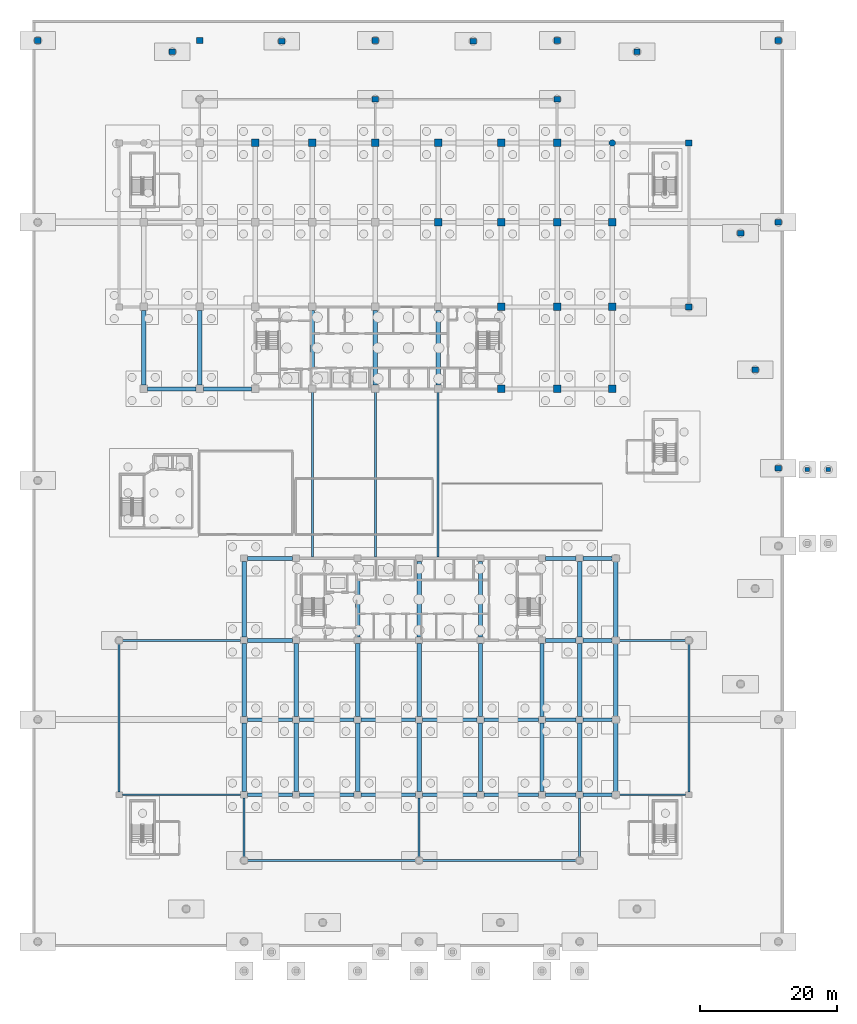
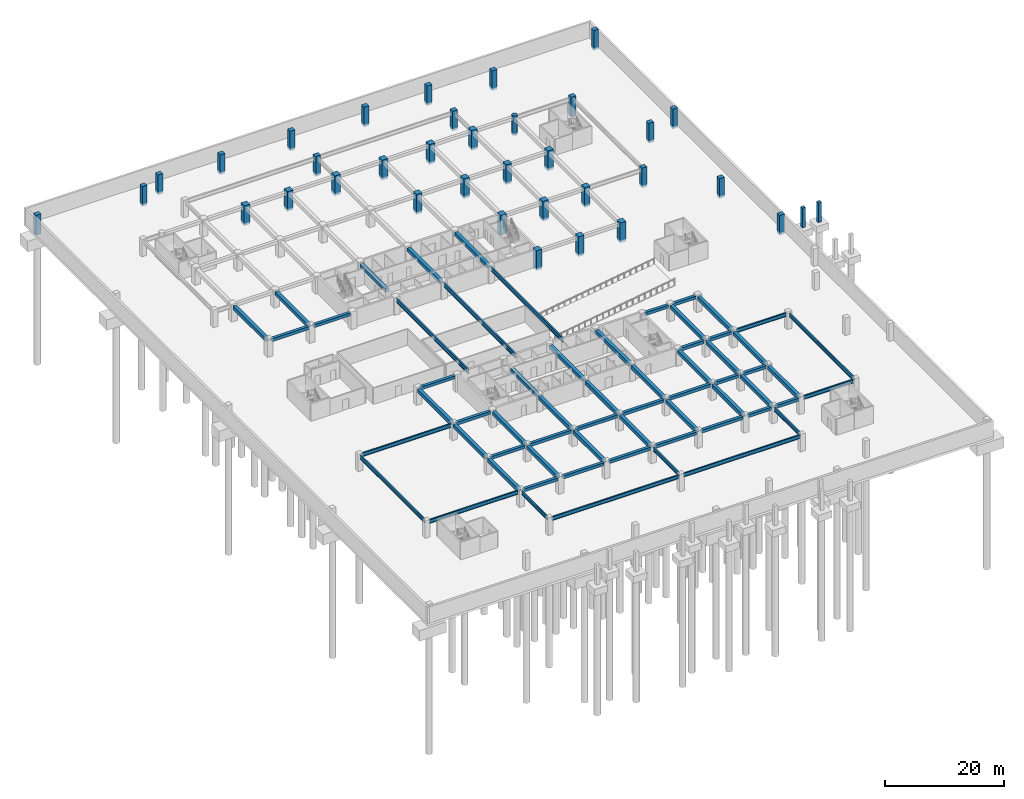
# One storey, part 5 of 26: 63 beams, 36 columns.
"""IFC4 building model written with IfcOpenShell, lengths in metres."""

from ifc_helpers import new_model, si_unit, direction, frame, origin, origin_2d, place, context, subcontext, project, spatial, rectangle, circle, i_section, extrude, material, material_profile, profile_set, type_object, element, save


model = new_model("IFC4")

# Units and contexts
model_context = context("Model", 3, precision=1e-05, world=origin(), true_north=direction((0.0, 1.0)))
body_context = subcontext(model_context, "Body", "Model", "MODEL_VIEW")
ifc_project = project(units=[si_unit("LENGTHUNIT", "METRE"), si_unit("AREAUNIT", "SQUARE_METRE"), si_unit("VOLUMEUNIT", "CUBIC_METRE"), si_unit("PLANEANGLEUNIT", "RADIAN"), si_unit("MASSUNIT", "GRAM", prefix="KILO")], contexts=[model_context])

# Site, building, storey
site_placement = place(None, origin())
site = spatial("IfcSite", under=ifc_project, at=site_placement, CompositionType="ELEMENT")
building_placement = place(site_placement, origin())
building = spatial("IfcBuilding", under=site, at=building_placement, Name="Korimba Cascade Residences", CompositionType="ELEMENT")
storey_placement = place(building_placement, frame((0.0, 0.0, -10.800048828125)))
storey = spatial("IfcBuildingStorey", under=building, at=storey_placement, Name="B03", CompositionType="ELEMENT", Elevation=-10.800048828125)

# Columns
ifc_material_1 = material(Name="Concrete C80/95", Category="concrete")
ifc_material_profile_1 = material_profile(ifc_material_1, rectangle(XDim=1.10009765625, YDim=1.10009765625, at=origin_2d()), Name="Concrete C80/95")
ifc_profile_set_1 = profile_set([ifc_material_profile_1], Name="Concrete C80/95")
column_type_1 = type_object("IfcColumnType", Name="COL-RC-1100", PredefinedType="COLUMN", material=ifc_profile_set_1)
for number, where, z_axis, x_axis, name in (
    (1, (76.10009765625, 91.199951171875, -0.449951171875), (0.0, 0.0, 1.0), (1.0, 0.0, 0.0), "B03 Tower 1 Column 3.4"),
    (2, (84.5, 91.199951171875, -0.449951171875), (0.0, 0.0, 1.0), (1.0, 0.0, 0.0), "B03 Tower 1 Column 4.4"),
    (3, (93.699951171875, 91.199951171875, -0.449951171875), (0.0, 0.0, 1.0), (1.0, 0.0, 0.0), "B03 Tower 1 Column 5.4"),
    (4, (102.89990234375, 79.60009765625, -0.449951171875), (0.0, 0.0, 1.0), (1.0, 0.0, 0.0), "B03 Tower 1 Column 6.3"),
    (5, (102.89990234375, 91.199951171875, -0.449951171875), (0.0, 0.0, 1.0), (1.0, 0.0, 0.0), "B03 Tower 1 Column 6.4"),
    (6, (112.10009765625, 55.199951171875, -0.449951171875), (0.0, 0.0, 1.0), (1.0, 0.0, 0.0), "B03 Tower 1 Column 7.1"),
    (7, (112.10009765625, 67.199951171875, -0.449951171875), (0.0, 0.0, 1.0), (1.0, 0.0, 0.0), "B03 Tower 1 Column 7.2"),
    (8, (112.10009765625, 79.60009765625, -0.449951171875), (0.0, 0.0, 1.0), (1.0, 0.0, 0.0), "B03 Tower 1 Column 7.3"),
    (9, (112.10009765625, 91.199951171875, -0.449951171875), (0.0, 0.0, 1.0), (1.0, 0.0, 0.0), "B03 Tower 1 Column 7.4"),
    (10, (120.300048828125, 55.199951171875, -0.449951171875), (0.0, 0.0, 1.0), (1.0, 0.0, 0.0), "B03 Tower 1 Column 8.1"),
    (11, (120.300048828125, 67.199951171875, -0.449951171875), (0.0, 0.0, 1.0), (1.0, 0.0, 0.0), "B03 Tower 1 Column 8.2"),
    (12, (120.300048828125, 79.60009765625, -0.449951171875), (0.0, 0.0, 1.0), (1.0, 0.0, 0.0), "B03 Tower 1 Column 8.3"),
    (13, (120.300048828125, 91.199951171875, -0.449951171875), (0.0, 0.0, 1.0), (1.0, 0.0, 0.0), "B03 Tower 1 Column 8.4"),
    (14, (128.39990234375, 55.199951171875, -0.449951171875), (0.0, 0.0, 1.0), (1.0, 0.0, 0.0), "B03 Tower 1 Column 9.1"),
    (15, (128.39990234375, 67.199951171875, -0.449951171875), (0.0, 0.0, 1.0), (1.0, 0.0, 0.0), "B03 Tower 1 Column 9.2"),
    (16, (128.39990234375, 79.60009765625, -0.449951171875), (0.0, 0.0, 1.0), (1.0, 0.0, 0.0), "B03 Tower 1 Column 9.3"),
):
    element("IfcColumn", number, at=place(storey_placement, frame(where, z_axis=z_axis, x_axis=x_axis)), inside=storey, type_object=column_type_1, Name=name, PredefinedType="COLUMN", context=body_context, shape_type="SweptSolid", body=[
        extrude(rectangle(XDim=1.10009765625, YDim=1.10009765625, at=origin_2d()), origin(), (0.0, 0.0, 1.0), 4.050048828125),
    ])
ifc_material_2 = material(Name="Concrete C50/60", Category="concrete")
ifc_material_profile_2 = material_profile(ifc_material_2, rectangle(XDim=0.64990234375, YDim=0.60009765625, at=origin_2d()), Name="Concrete C50/60")
ifc_profile_set_2 = profile_set([ifc_material_profile_2], Name="Concrete C50/60")
column_type_2 = type_object("IfcColumnType", Name="COL-RC-650", PredefinedType="COLUMN", material=ifc_profile_set_2)
for number, where, z_axis, x_axis, name in (
    (17, (156.89990234375, 43.39990234375, -0.449951171875), (0.0, 0.0, 1.0), (1.0, 0.0, 0.0), "B03 Plaza Sub-Pier APR2"),
    (18, (160.0, 43.39990234375, -0.449951171875), (0.0, 0.0, 1.0), (1.0, 0.0, 0.0), "B03 Plaza Sub-Pier APR4"),
):
    element("IfcColumn", number, at=place(storey_placement, frame(where, z_axis=z_axis, x_axis=x_axis)), inside=storey, type_object=column_type_2, Name=name, PredefinedType="COLUMN", context=body_context, shape_type="SweptSolid", body=[
        extrude(rectangle(XDim=0.64990234375, YDim=0.60009765625, at=origin_2d()), origin(), (0.0, 0.0, 1.0), 4.050048828125),
    ])
ifc_material_3 = material(Name="Concrete C65/80", Category="concrete")
ifc_material_profile_3 = material_profile(ifc_material_3, rectangle(XDim=0.949951171875, YDim=0.85009765625, at=origin_2d()), Name="Concrete C65/80")
ifc_profile_set_3 = profile_set([ifc_material_profile_3], Name="Concrete C65/80")
column_type_3 = type_object("IfcColumnType", Name="COL-RC-950", PredefinedType="COLUMN", material=ifc_profile_set_3)
for number, where, z_axis, x_axis, name in (
    (19, (139.60009765625, 67.199951171875, -0.449951171875), (0.0, 0.0, 1.0), (1.0, 0.0, 0.0), "B03 Podium Column PCE3"),
    (20, (139.60009765625, 91.199951171875, -0.449951171875), (0.0, 0.0, 1.0), (1.0, 0.0, 0.0), "B03 Podium Column PCE4"),
    (21, (93.699951171875, 97.60009765625, -0.449951171875), (0.0, 0.0, 1.0), (1.0, 0.0, 0.0), "B03 Podium Column PCN2"),
    (22, (120.300048828125, 97.60009765625, -0.449951171875), (0.0, 0.0, 1.0), (1.0, 0.0, 0.0), "B03 Podium Column PCN3"),
    (23, (80.0, 106.10009765625, -0.449951171875), (0.0, 0.0, 1.0), (1.0, 0.0, 0.0), "B03 Podium Column PTN1"),
    (24, (108.0, 106.10009765625, -0.449951171875), (0.0, 0.0, 1.0), (1.0, 0.0, 0.0), "B03 Podium Column PTN2"),
    (25, (64.0, 104.550048828125, -0.449951171875), (0.0, 0.0, 1.0), (1.0, 0.0, 0.0), "B03 Podium Column PTN3"),
    (26, (132.0, 104.550048828125, -0.449951171875), (0.0, 0.0, 1.0), (1.0, 0.0, 0.0), "B03 Podium Column PTN4"),
    (27, (149.300048828125, 58.0, -0.449951171875), (0.0, 0.0, 1.0), (1.0, 0.0, 0.0), "B03 Podium Column PTE2"),
    (28, (147.14990234375, 78.0, -0.449951171875), (0.0, 0.0, 1.0), (1.0, 0.0, 0.0), "B03 Podium Column PTE4"),
    (29, (44.300048828125, 106.199951171875, -0.449951171875), (0.0, 0.0, 1.0), (1.0, 0.0, 0.0), "B03 Podium Column PLW5"),
    (30, (152.699951171875, 43.60009765625, -0.449951171875), (0.0, 0.0, 1.0), (1.0, 0.0, 0.0), "B03 Podium Column PLE4"),
    (31, (152.699951171875, 79.60009765625, -0.449951171875), (0.0, 0.0, 1.0), (1.0, 0.0, 0.0), "B03 Podium Column PLE5"),
    (32, (152.699951171875, 106.199951171875, -0.449951171875), (0.0, 0.0, 1.0), (1.0, 0.0, 0.0), "B03 Podium Column PLE6"),
    (33, (68.0, 106.199951171875, -0.449951171875), (0.0, 0.0, 1.0), (1.0, 0.0, 0.0), "B03 Podium Column PLN1"),
    (34, (93.699951171875, 106.199951171875, -0.449951171875), (0.0, 0.0, 1.0), (1.0, 0.0, 0.0), "B03 Podium Column PLN2"),
    (35, (120.300048828125, 106.199951171875, -0.449951171875), (0.0, 0.0, 1.0), (1.0, 0.0, 0.0), "B03 Podium Column PLN3"),
):
    element("IfcColumn", number, at=place(storey_placement, frame(where, z_axis=z_axis, x_axis=x_axis)), inside=storey, type_object=column_type_3, Name=name, PredefinedType="COLUMN", context=body_context, shape_type="SweptSolid", body=[
        extrude(rectangle(XDim=0.949951171875, YDim=0.85009765625, at=origin_2d()), origin(), (0.0, 0.0, 1.0), 4.050048828125),
    ])
ifc_material_profile_4 = material_profile(ifc_material_1, circle(Radius=0.47509765625, at=origin_2d()), Name="Concrete C80/95")
ifc_profile_set_4 = profile_set([ifc_material_profile_4], Name="Concrete C80/95")
column_type_4 = type_object("IfcColumnType", Name="COL-RC-D950", PredefinedType="COLUMN", material=ifc_profile_set_4)
column_placement = place(storey_placement, frame((128.39990234375, 91.199951171875, -0.449951171875), z_axis=(0.0, 0.0, 1.0), x_axis=(1.0, 0.0, 0.0)))
element("IfcColumn", 36, at=column_placement, inside=storey, type_object=column_type_4, Name="B03 Tower 1 Column 9.4", PredefinedType="COLUMN", context=body_context, shape_type="SweptSolid", body=[
    extrude(circle(Radius=0.47509765625, at=origin_2d()), origin(), (0.0, 0.0, 1.0), 4.050048828125),
])

# Beams
ifc_material_profile_5 = material_profile(ifc_material_2, rectangle(XDim=0.550048828125, YDim=0.60009765625, at=origin_2d()), Name="Concrete C50/60")
ifc_profile_set_5 = profile_set([ifc_material_profile_5], Name="Concrete C50/60")
beam_type_1 = type_object("IfcBeamType", Name="BM-RC-B600", PredefinedType="BEAM", material=ifc_profile_set_5)
beam_1_placement = place(storey_placement, frame((60.35009765625, 55.199951171875, 3.0), z_axis=(1.0, 0.0, 0.0), x_axis=(0.0, 1.0, 0.0)))
element("IfcBeam", 37, at=beam_1_placement, inside=storey, type_object=beam_type_1, Name="B03 T1 E-W Girder Y1 Bay 1", PredefinedType="BEAM", context=body_context, shape_type="SweptSolid", body=[
    extrude(rectangle(XDim=0.550048828125, YDim=0.60009765625, at=origin_2d()), origin(), (0.0, 0.0, 1.0), 7.099853515625),
])
beam_2_placement = place(storey_placement, frame((68.550048828125, 55.199951171875, 3.0), z_axis=(1.0, 0.0, 0.0), x_axis=(0.0, 1.0, 0.0)))
element("IfcBeam", 38, at=beam_2_placement, inside=storey, type_object=beam_type_1, Name="B03 T1 E-W Girder Y1 Bay 2", PredefinedType="BEAM", context=body_context, shape_type="SweptSolid", body=[
    extrude(rectangle(XDim=0.550048828125, YDim=0.60009765625, at=origin_2d()), origin(), (0.0, 0.0, 1.0), 7.0),
])
beam_3_placement = place(storey_placement, frame((75.02490234375, -4.199951171875, 3.0), z_axis=(1.0, 0.0, 0.0), x_axis=(0.0, 1.0, 0.0)))
element("IfcBeam", 39, at=beam_3_placement, inside=storey, type_object=beam_type_1, Name="B03 T2 E-W Girder Y1 Bay 1", PredefinedType="BEAM", context=body_context, shape_type="SweptSolid", body=[
    extrude(rectangle(XDim=0.550048828125, YDim=0.60009765625, at=origin_2d()), origin(), (0.0, 0.0, 1.0), 6.550048828125),
])
for number, where, z_axis, x_axis, name in (
    (40, (82.625, -4.199951171875, 3.0), (1.0, 0.0, 0.0), (0.0, 1.0, 0.0), "B03 T2 E-W Girder Y1 Bay 2"),
    (41, (91.625, -4.199951171875, 3.0), (1.0, 0.0, 0.0), (0.0, 1.0, 0.0), "B03 T2 E-W Girder Y1 Bay 3"),
    (42, (100.625, -4.199951171875, 3.0), (1.0, 0.0, 0.0), (0.0, 1.0, 0.0), "B03 T2 E-W Girder Y1 Bay 4"),
    (43, (109.625, -4.199951171875, 3.0), (1.0, 0.0, 0.0), (0.0, 1.0, 0.0), "B03 T2 E-W Girder Y1 Bay 5"),
):
    element("IfcBeam", number, at=place(storey_placement, frame(where, z_axis=z_axis, x_axis=x_axis)), inside=storey, type_object=beam_type_1, Name=name, PredefinedType="BEAM", context=body_context, shape_type="SweptSolid", body=[
        extrude(rectangle(XDim=0.550048828125, YDim=0.60009765625, at=origin_2d()), origin(), (0.0, 0.0, 1.0), 7.949951171875),
    ])
beam_4_placement = place(storey_placement, frame((118.625, -4.199951171875, 3.0), z_axis=(1.0, 0.0, 0.0), x_axis=(0.0, 1.0, 0.0)))
element("IfcBeam", 44, at=beam_4_placement, inside=storey, type_object=beam_type_1, Name="B03 T2 E-W Girder Y1 Bay 6", PredefinedType="BEAM", context=body_context, shape_type="SweptSolid", body=[
    extrude(rectangle(XDim=0.550048828125, YDim=0.60009765625, at=origin_2d()), origin(), (0.0, 0.0, 1.0), 4.449951171875),
])
beam_5_placement = place(storey_placement, frame((124.125, -4.199951171875, 3.0), z_axis=(1.0, 0.0, 0.0), x_axis=(0.0, 1.0, 0.0)))
element("IfcBeam", 45, at=beam_5_placement, inside=storey, type_object=beam_type_1, Name="B03 T2 E-W Girder Y1 Bay 7", PredefinedType="BEAM", context=body_context, shape_type="SweptSolid", body=[
    extrude(rectangle(XDim=0.550048828125, YDim=0.60009765625, at=origin_2d()), origin(), (0.0, 0.0, 1.0), 4.25),
])
beam_6_placement = place(storey_placement, frame((75.02490234375, 6.800048828125, 3.0), z_axis=(1.0, 0.0, 0.0), x_axis=(0.0, 1.0, 0.0)))
element("IfcBeam", 46, at=beam_6_placement, inside=storey, type_object=beam_type_1, Name="B03 T2 E-W Girder Y2 Bay 1", PredefinedType="BEAM", context=body_context, shape_type="SweptSolid", body=[
    extrude(rectangle(XDim=0.550048828125, YDim=0.60009765625, at=origin_2d()), origin(), (0.0, 0.0, 1.0), 6.550048828125),
])
for number, where, z_axis, x_axis, name in (
    (47, (82.625, 6.800048828125, 3.0), (1.0, 0.0, 0.0), (0.0, 1.0, 0.0), "B03 T2 E-W Girder Y2 Bay 2"),
    (48, (91.625, 6.800048828125, 3.0), (1.0, 0.0, 0.0), (0.0, 1.0, 0.0), "B03 T2 E-W Girder Y2 Bay 3"),
    (49, (100.625, 6.800048828125, 3.0), (1.0, 0.0, 0.0), (0.0, 1.0, 0.0), "B03 T2 E-W Girder Y2 Bay 4"),
    (50, (109.625, 6.800048828125, 3.0), (1.0, 0.0, 0.0), (0.0, 1.0, 0.0), "B03 T2 E-W Girder Y2 Bay 5"),
):
    element("IfcBeam", number, at=place(storey_placement, frame(where, z_axis=z_axis, x_axis=x_axis)), inside=storey, type_object=beam_type_1, Name=name, PredefinedType="BEAM", context=body_context, shape_type="SweptSolid", body=[
        extrude(rectangle(XDim=0.550048828125, YDim=0.60009765625, at=origin_2d()), origin(), (0.0, 0.0, 1.0), 7.949951171875),
    ])
beam_7_placement = place(storey_placement, frame((118.625, 6.800048828125, 3.0), z_axis=(1.0, 0.0, 0.0), x_axis=(0.0, 1.0, 0.0)))
element("IfcBeam", 51, at=beam_7_placement, inside=storey, type_object=beam_type_1, Name="B03 T2 E-W Girder Y2 Bay 6", PredefinedType="BEAM", context=body_context, shape_type="SweptSolid", body=[
    extrude(rectangle(XDim=0.550048828125, YDim=0.60009765625, at=origin_2d()), origin(), (0.0, 0.0, 1.0), 4.449951171875),
])
beam_8_placement = place(storey_placement, frame((124.125, 6.800048828125, 3.0), z_axis=(1.0, 0.0, 0.0), x_axis=(0.0, 1.0, 0.0)))
element("IfcBeam", 52, at=beam_8_placement, inside=storey, type_object=beam_type_1, Name="B03 T2 E-W Girder Y2 Bay 7", PredefinedType="BEAM", context=body_context, shape_type="SweptSolid", body=[
    extrude(rectangle(XDim=0.550048828125, YDim=0.60009765625, at=origin_2d()), origin(), (0.0, 0.0, 1.0), 4.25),
])
beam_9_placement = place(storey_placement, frame((75.02490234375, 18.39990234375, 3.0), z_axis=(1.0, 0.0, 0.0), x_axis=(0.0, 1.0, 0.0)))
element("IfcBeam", 53, at=beam_9_placement, inside=storey, type_object=beam_type_1, Name="B03 T2 E-W Girder Y3 Bay 1", PredefinedType="BEAM", context=body_context, shape_type="SweptSolid", body=[
    extrude(rectangle(XDim=0.550048828125, YDim=0.60009765625, at=origin_2d()), origin(), (0.0, 0.0, 1.0), 6.550048828125),
])
beam_10_placement = place(storey_placement, frame((118.625, 18.39990234375, 3.0), z_axis=(1.0, 0.0, 0.0), x_axis=(0.0, 1.0, 0.0)))
element("IfcBeam", 54, at=beam_10_placement, inside=storey, type_object=beam_type_1, Name="B03 T2 E-W Girder Y3 Bay 6", PredefinedType="BEAM", context=body_context, shape_type="SweptSolid", body=[
    extrude(rectangle(XDim=0.550048828125, YDim=0.60009765625, at=origin_2d()), origin(), (0.0, 0.0, 1.0), 4.449951171875),
])
beam_11_placement = place(storey_placement, frame((124.125, 18.39990234375, 3.0), z_axis=(1.0, 0.0, 0.0), x_axis=(0.0, 1.0, 0.0)))
element("IfcBeam", 55, at=beam_11_placement, inside=storey, type_object=beam_type_1, Name="B03 T2 E-W Girder Y3 Bay 7", PredefinedType="BEAM", context=body_context, shape_type="SweptSolid", body=[
    extrude(rectangle(XDim=0.550048828125, YDim=0.60009765625, at=origin_2d()), origin(), (0.0, 0.0, 1.0), 4.25),
])
beam_12_placement = place(storey_placement, frame((75.02490234375, 30.39990234375, 3.0), z_axis=(1.0, 0.0, 0.0), x_axis=(0.0, 1.0, 0.0)))
element("IfcBeam", 56, at=beam_12_placement, inside=storey, type_object=beam_type_1, Name="B03 T2 E-W Girder Y4 Bay 1", PredefinedType="BEAM", context=body_context, shape_type="SweptSolid", body=[
    extrude(rectangle(XDim=0.550048828125, YDim=0.60009765625, at=origin_2d()), origin(), (0.0, 0.0, 1.0), 6.550048828125),
])
beam_13_placement = place(storey_placement, frame((118.625, 30.39990234375, 3.0), z_axis=(1.0, 0.0, 0.0), x_axis=(0.0, 1.0, 0.0)))
element("IfcBeam", 57, at=beam_13_placement, inside=storey, type_object=beam_type_1, Name="B03 T2 E-W Girder Y4 Bay 6", PredefinedType="BEAM", context=body_context, shape_type="SweptSolid", body=[
    extrude(rectangle(XDim=0.550048828125, YDim=0.60009765625, at=origin_2d()), origin(), (0.0, 0.0, 1.0), 4.449951171875),
])
beam_14_placement = place(storey_placement, frame((124.125, 30.39990234375, 3.0), z_axis=(1.0, 0.0, 0.0), x_axis=(0.0, 1.0, 0.0)))
element("IfcBeam", 58, at=beam_14_placement, inside=storey, type_object=beam_type_1, Name="B03 T2 E-W Girder Y4 Bay 7", PredefinedType="BEAM", context=body_context, shape_type="SweptSolid", body=[
    extrude(rectangle(XDim=0.550048828125, YDim=0.60009765625, at=origin_2d()), origin(), (0.0, 0.0, 1.0), 4.25),
])
ifc_material_profile_6 = material_profile(ifc_material_2, rectangle(XDim=0.64990234375, YDim=0.75, at=origin_2d()), Name="Concrete C50/60")
ifc_profile_set_6 = profile_set([ifc_material_profile_6], Name="Concrete C50/60")
beam_type_2 = type_object("IfcBeamType", Name="BM-RC-G750", PredefinedType="BEAM", material=ifc_profile_set_6)
for number, where, z_axis, x_axis, name in (
    (59, (59.800048828125, 55.75, 2.925048828125), (0.0, 1.0, 0.0), (-1.0, 0.0, 0.0), "B03 T1 N-S Girder X1 Seg 1"),
    (60, (68.0, 55.75, 2.925048828125), (0.0, 1.0, 0.0), (-1.0, 0.0, 0.0), "B03 T1 N-S Girder X2 Seg 1"),
):
    element("IfcBeam", number, at=place(storey_placement, frame(where, z_axis=z_axis, x_axis=x_axis)), inside=storey, type_object=beam_type_2, Name=name, PredefinedType="BEAM", context=body_context, shape_type="SweptSolid", body=[
        extrude(rectangle(XDim=0.64990234375, YDim=0.75, at=origin_2d()), origin(), (0.0, 0.0, 1.0), 10.89990234375),
    ])
beam_15_placement = place(storey_placement, frame((84.5, 58.159912109375, 2.925048828125), z_axis=(0.0, 1.0, 0.0), x_axis=(-1.0, 0.0, 0.0)))
element("IfcBeam", 61, at=beam_15_placement, inside=storey, type_object=beam_type_2, Name="B03 T1 N-S Girder X4 Seg 1", PredefinedType="BEAM", context=body_context, shape_type="SweptSolid", body=[
    extrude(rectangle(XDim=0.64990234375, YDim=0.75, at=origin_2d()), origin(), (0.0, 0.0, 1.0), 8.489990234375),
])
for number, where, z_axis, x_axis, name in (
    (62, (93.699951171875, 55.75, 2.925048828125), (0.0, 1.0, 0.0), (-1.0, 0.0, 0.0), "B03 T1 N-S Girder X5 Seg 1"),
    (63, (102.89990234375, 55.75, 2.925048828125), (0.0, 1.0, 0.0), (-1.0, 0.0, 0.0), "B03 T1 N-S Girder X6 Seg 1"),
):
    element("IfcBeam", number, at=place(storey_placement, frame(where, z_axis=z_axis, x_axis=x_axis)), inside=storey, type_object=beam_type_2, Name=name, PredefinedType="BEAM", context=body_context, shape_type="SweptSolid", body=[
        extrude(rectangle(XDim=0.64990234375, YDim=0.75, at=origin_2d()), origin(), (0.0, 0.0, 1.0), 10.89990234375),
    ])
beam_16_placement = place(storey_placement, frame((74.5, -3.72509765625, 2.925048828125), z_axis=(0.0, 1.0, 0.0), x_axis=(-1.0, 0.0, 0.0)))
element("IfcBeam", 64, at=beam_16_placement, inside=storey, type_object=beam_type_2, Name="B03 T2 N-S Girder X1 Seg 1", PredefinedType="BEAM", context=body_context, shape_type="SweptSolid", body=[
    extrude(rectangle(XDim=0.64990234375, YDim=0.75, at=origin_2d()), origin(), (0.0, 0.0, 1.0), 10.050048828125),
])
beam_17_placement = place(storey_placement, frame((74.5, 7.27490234375, 2.925048828125), z_axis=(0.0, 1.0, 0.0), x_axis=(-1.0, 0.0, 0.0)))
element("IfcBeam", 65, at=beam_17_placement, inside=storey, type_object=beam_type_2, Name="B03 T2 N-S Girder X1 Seg 2", PredefinedType="BEAM", context=body_context, shape_type="SweptSolid", body=[
    extrude(rectangle(XDim=0.64990234375, YDim=0.75, at=origin_2d()), origin(), (0.0, 0.0, 1.0), 10.650146484375),
])
beam_18_placement = place(storey_placement, frame((74.5, 18.875, 2.925048828125), z_axis=(0.0, 1.0, 0.0), x_axis=(-1.0, 0.0, 0.0)))
element("IfcBeam", 66, at=beam_18_placement, inside=storey, type_object=beam_type_2, Name="B03 T2 N-S Girder X1 Seg 3", PredefinedType="BEAM", context=body_context, shape_type="SweptSolid", body=[
    extrude(rectangle(XDim=0.64990234375, YDim=0.75, at=origin_2d()), origin(), (0.0, 0.0, 1.0), 11.050048828125),
])
beam_19_placement = place(storey_placement, frame((82.10009765625, -3.72509765625, 2.925048828125), z_axis=(0.0, 1.0, 0.0), x_axis=(-1.0, 0.0, 0.0)))
element("IfcBeam", 67, at=beam_19_placement, inside=storey, type_object=beam_type_2, Name="B03 T2 N-S Girder X2 Seg 1", PredefinedType="BEAM", context=body_context, shape_type="SweptSolid", body=[
    extrude(rectangle(XDim=0.64990234375, YDim=0.75, at=origin_2d()), origin(), (0.0, 0.0, 1.0), 10.050048828125),
])
beam_20_placement = place(storey_placement, frame((82.10009765625, 7.27490234375, 2.925048828125), z_axis=(0.0, 1.0, 0.0), x_axis=(-1.0, 0.0, 0.0)))
element("IfcBeam", 68, at=beam_20_placement, inside=storey, type_object=beam_type_2, Name="B03 T2 N-S Girder X2 Seg 2", PredefinedType="BEAM", context=body_context, shape_type="SweptSolid", body=[
    extrude(rectangle(XDim=0.64990234375, YDim=0.75, at=origin_2d()), origin(), (0.0, 0.0, 1.0), 10.650146484375),
])
beam_21_placement = place(storey_placement, frame((91.10009765625, -3.72509765625, 2.925048828125), z_axis=(0.0, 1.0, 0.0), x_axis=(-1.0, 0.0, 0.0)))
element("IfcBeam", 69, at=beam_21_placement, inside=storey, type_object=beam_type_2, Name="B03 T2 N-S Girder X3 Seg 1", PredefinedType="BEAM", context=body_context, shape_type="SweptSolid", body=[
    extrude(rectangle(XDim=0.64990234375, YDim=0.75, at=origin_2d()), origin(), (0.0, 0.0, 1.0), 10.050048828125),
])
beam_22_placement = place(storey_placement, frame((91.10009765625, 7.27490234375, 2.925048828125), z_axis=(0.0, 1.0, 0.0), x_axis=(-1.0, 0.0, 0.0)))
element("IfcBeam", 70, at=beam_22_placement, inside=storey, type_object=beam_type_2, Name="B03 T2 N-S Girder X3 Seg 2", PredefinedType="BEAM", context=body_context, shape_type="SweptSolid", body=[
    extrude(rectangle(XDim=0.64990234375, YDim=0.75, at=origin_2d()), origin(), (0.0, 0.0, 1.0), 10.650146484375),
])
beam_23_placement = place(storey_placement, frame((91.10009765625, 18.875, 2.925048828125), z_axis=(0.0, 1.0, 0.0), x_axis=(-1.0, 0.0, 0.0)))
element("IfcBeam", 71, at=beam_23_placement, inside=storey, type_object=beam_type_2, Name="B03 T2 N-S Girder X3 Seg 3", PredefinedType="BEAM", context=body_context, shape_type="SweptSolid", body=[
    extrude(rectangle(XDim=0.64990234375, YDim=0.75, at=origin_2d()), origin(), (0.0, 0.0, 1.0), 8.465087890625),
])
beam_24_placement = place(storey_placement, frame((100.10009765625, -3.72509765625, 2.925048828125), z_axis=(0.0, 1.0, 0.0), x_axis=(-1.0, 0.0, 0.0)))
element("IfcBeam", 72, at=beam_24_placement, inside=storey, type_object=beam_type_2, Name="B03 T2 N-S Girder X4 Seg 1", PredefinedType="BEAM", context=body_context, shape_type="SweptSolid", body=[
    extrude(rectangle(XDim=0.64990234375, YDim=0.75, at=origin_2d()), origin(), (0.0, 0.0, 1.0), 10.050048828125),
])
beam_25_placement = place(storey_placement, frame((100.10009765625, 7.27490234375, 2.925048828125), z_axis=(0.0, 1.0, 0.0), x_axis=(-1.0, 0.0, 0.0)))
element("IfcBeam", 73, at=beam_25_placement, inside=storey, type_object=beam_type_2, Name="B03 T2 N-S Girder X4 Seg 2", PredefinedType="BEAM", context=body_context, shape_type="SweptSolid", body=[
    extrude(rectangle(XDim=0.64990234375, YDim=0.75, at=origin_2d()), origin(), (0.0, 0.0, 1.0), 10.650146484375),
])
beam_26_placement = place(storey_placement, frame((100.10009765625, 18.875, 2.925048828125), z_axis=(0.0, 1.0, 0.0), x_axis=(-1.0, 0.0, 0.0)))
element("IfcBeam", 74, at=beam_26_placement, inside=storey, type_object=beam_type_2, Name="B03 T2 N-S Girder X4 Seg 3", PredefinedType="BEAM", context=body_context, shape_type="SweptSolid", body=[
    extrude(rectangle(XDim=0.64990234375, YDim=0.75, at=origin_2d()), origin(), (0.0, 0.0, 1.0), 11.050048828125),
])
beam_27_placement = place(storey_placement, frame((109.10009765625, -3.72509765625, 2.925048828125), z_axis=(0.0, 1.0, 0.0), x_axis=(-1.0, 0.0, 0.0)))
element("IfcBeam", 75, at=beam_27_placement, inside=storey, type_object=beam_type_2, Name="B03 T2 N-S Girder X5 Seg 1", PredefinedType="BEAM", context=body_context, shape_type="SweptSolid", body=[
    extrude(rectangle(XDim=0.64990234375, YDim=0.75, at=origin_2d()), origin(), (0.0, 0.0, 1.0), 10.050048828125),
])
beam_28_placement = place(storey_placement, frame((109.10009765625, 7.27490234375, 2.925048828125), z_axis=(0.0, 1.0, 0.0), x_axis=(-1.0, 0.0, 0.0)))
element("IfcBeam", 76, at=beam_28_placement, inside=storey, type_object=beam_type_2, Name="B03 T2 N-S Girder X5 Seg 2", PredefinedType="BEAM", context=body_context, shape_type="SweptSolid", body=[
    extrude(rectangle(XDim=0.64990234375, YDim=0.75, at=origin_2d()), origin(), (0.0, 0.0, 1.0), 10.650146484375),
])
beam_29_placement = place(storey_placement, frame((109.10009765625, 18.875, 2.925048828125), z_axis=(0.0, 1.0, 0.0), x_axis=(-1.0, 0.0, 0.0)))
element("IfcBeam", 77, at=beam_29_placement, inside=storey, type_object=beam_type_2, Name="B03 T2 N-S Girder X5 Seg 3", PredefinedType="BEAM", context=body_context, shape_type="SweptSolid", body=[
    extrude(rectangle(XDim=0.64990234375, YDim=0.75, at=origin_2d()), origin(), (0.0, 0.0, 1.0), 11.050048828125),
])
beam_30_placement = place(storey_placement, frame((118.10009765625, -3.72509765625, 2.925048828125), z_axis=(0.0, 1.0, 0.0), x_axis=(-1.0, 0.0, 0.0)))
element("IfcBeam", 78, at=beam_30_placement, inside=storey, type_object=beam_type_2, Name="B03 T2 N-S Girder X6 Seg 1", PredefinedType="BEAM", context=body_context, shape_type="SweptSolid", body=[
    extrude(rectangle(XDim=0.64990234375, YDim=0.75, at=origin_2d()), origin(), (0.0, 0.0, 1.0), 10.050048828125),
])
beam_31_placement = place(storey_placement, frame((118.10009765625, 7.27490234375, 2.925048828125), z_axis=(0.0, 1.0, 0.0), x_axis=(-1.0, 0.0, 0.0)))
element("IfcBeam", 79, at=beam_31_placement, inside=storey, type_object=beam_type_2, Name="B03 T2 N-S Girder X6 Seg 2", PredefinedType="BEAM", context=body_context, shape_type="SweptSolid", body=[
    extrude(rectangle(XDim=0.64990234375, YDim=0.75, at=origin_2d()), origin(), (0.0, 0.0, 1.0), 10.650146484375),
])
beam_32_placement = place(storey_placement, frame((123.60009765625, -3.72509765625, 2.925048828125), z_axis=(0.0, 1.0, 0.0), x_axis=(-1.0, 0.0, 0.0)))
element("IfcBeam", 80, at=beam_32_placement, inside=storey, type_object=beam_type_2, Name="B03 T2 N-S Girder X7 Seg 1", PredefinedType="BEAM", context=body_context, shape_type="SweptSolid", body=[
    extrude(rectangle(XDim=0.64990234375, YDim=0.75, at=origin_2d()), origin(), (0.0, 0.0, 1.0), 10.050048828125),
])
beam_33_placement = place(storey_placement, frame((123.60009765625, 7.27490234375, 2.925048828125), z_axis=(0.0, 1.0, 0.0), x_axis=(-1.0, 0.0, 0.0)))
element("IfcBeam", 81, at=beam_33_placement, inside=storey, type_object=beam_type_2, Name="B03 T2 N-S Girder X7 Seg 2", PredefinedType="BEAM", context=body_context, shape_type="SweptSolid", body=[
    extrude(rectangle(XDim=0.64990234375, YDim=0.75, at=origin_2d()), origin(), (0.0, 0.0, 1.0), 10.650146484375),
])
beam_34_placement = place(storey_placement, frame((123.60009765625, 18.875, 2.925048828125), z_axis=(0.0, 1.0, 0.0), x_axis=(-1.0, 0.0, 0.0)))
element("IfcBeam", 82, at=beam_34_placement, inside=storey, type_object=beam_type_2, Name="B03 T2 N-S Girder X7 Seg 3", PredefinedType="BEAM", context=body_context, shape_type="SweptSolid", body=[
    extrude(rectangle(XDim=0.64990234375, YDim=0.75, at=origin_2d()), origin(), (0.0, 0.0, 1.0), 11.050048828125),
])
beam_35_placement = place(storey_placement, frame((128.89990234375, -3.72509765625, 2.925048828125), z_axis=(0.0, 1.0, 0.0), x_axis=(-1.0, 0.0, 0.0)))
element("IfcBeam", 83, at=beam_35_placement, inside=storey, type_object=beam_type_2, Name="B03 T2 N-S Girder X8 Seg 1", PredefinedType="BEAM", context=body_context, shape_type="SweptSolid", body=[
    extrude(rectangle(XDim=0.64990234375, YDim=0.75, at=origin_2d()), origin(), (0.0, 0.0, 1.0), 10.050048828125),
])
beam_36_placement = place(storey_placement, frame((128.89990234375, 7.27490234375, 2.925048828125), z_axis=(0.0, 1.0, 0.0), x_axis=(-1.0, 0.0, 0.0)))
element("IfcBeam", 84, at=beam_36_placement, inside=storey, type_object=beam_type_2, Name="B03 T2 N-S Girder X8 Seg 2", PredefinedType="BEAM", context=body_context, shape_type="SweptSolid", body=[
    extrude(rectangle(XDim=0.64990234375, YDim=0.75, at=origin_2d()), origin(), (0.0, 0.0, 1.0), 10.650146484375),
])
beam_37_placement = place(storey_placement, frame((128.89990234375, 18.875, 2.925048828125), z_axis=(0.0, 1.0, 0.0), x_axis=(-1.0, 0.0, 0.0)))
element("IfcBeam", 85, at=beam_37_placement, inside=storey, type_object=beam_type_2, Name="B03 T2 N-S Girder X8 Seg 3", PredefinedType="BEAM", context=body_context, shape_type="SweptSolid", body=[
    extrude(rectangle(XDim=0.64990234375, YDim=0.75, at=origin_2d()), origin(), (0.0, 0.0, 1.0), 11.050048828125),
])
ifc_material_4 = material(Name="Steel S355", Category="steel")
ifc_material_profile_7 = material_profile(ifc_material_4, i_section(OverallWidth=0.26806640625, OverallDepth=0.769775390625, WebThickness=0.015625, FlangeThickness=0.025390625, FilletRadius=0.0166015625, at=origin_2d()), Name="Steel S355")
ifc_profile_set_7 = profile_set([ifc_material_profile_7], Name="Steel S355")
beam_type_3 = type_object("IfcBeamType", Name="BM-STL-UB762", PredefinedType="BEAM", material=ifc_profile_set_7)
for number, where, z_axis, x_axis, name in (
    (86, (56.675048828125, -4.199951171875, 2.9150390625), (1.0, 0.0, 0.0), (0.0, 1.0, 0.0), "B03 Podium Frame Girder W1"),
    (87, (56.675048828125, 18.39990234375, 2.9150390625), (1.0, 0.0, 0.0), (0.0, 1.0, 0.0), "B03 Podium Frame Girder W2"),
):
    element("IfcBeam", number, at=place(storey_placement, frame(where, z_axis=z_axis, x_axis=x_axis)), inside=storey, type_object=beam_type_3, Name=name, PredefinedType="BEAM", context=body_context, shape_type="SweptSolid", body=[
        extrude(i_section(OverallWidth=0.26806640625, OverallDepth=0.769775390625, WebThickness=0.015625, FlangeThickness=0.025390625, FilletRadius=0.0166015625, at=origin_2d()), origin(), (0.0, 0.0, 1.0), 17.300048828125),
    ])
beam_38_placement = place(storey_placement, frame((56.199951171875, -3.77490234375, 2.9150390625), z_axis=(0.0, 1.0, 0.0), x_axis=(-1.0, 0.0, 0.0)))
element("IfcBeam", 88, at=beam_38_placement, inside=storey, type_object=beam_type_3, Name="B03 Podium Frame Girder WN", PredefinedType="BEAM", context=body_context, shape_type="SweptSolid", body=[
    extrude(i_section(OverallWidth=0.26806640625, OverallDepth=0.769775390625, WebThickness=0.015625, FlangeThickness=0.025390625, FilletRadius=0.0166015625, at=origin_2d()), origin(), (0.0, 0.0, 1.0), 21.75),
])
for number, where, z_axis, x_axis, name in (
    (89, (129.425048828125, -4.199951171875, 2.9150390625), (1.0, 0.0, 0.0), (0.0, 1.0, 0.0), "B03 Podium Frame Girder E1"),
    (90, (129.425048828125, 18.39990234375, 2.9150390625), (1.0, 0.0, 0.0), (0.0, 1.0, 0.0), "B03 Podium Frame Girder E2"),
):
    element("IfcBeam", number, at=place(storey_placement, frame(where, z_axis=z_axis, x_axis=x_axis)), inside=storey, type_object=beam_type_3, Name=name, PredefinedType="BEAM", context=body_context, shape_type="SweptSolid", body=[
        extrude(i_section(OverallWidth=0.26806640625, OverallDepth=0.769775390625, WebThickness=0.015625, FlangeThickness=0.025390625, FilletRadius=0.0166015625, at=origin_2d()), origin(), (0.0, 0.0, 1.0), 9.699951171875),
    ])
beam_39_placement = place(storey_placement, frame((139.60009765625, -3.77490234375, 2.9150390625), z_axis=(0.0, 1.0, 0.0), x_axis=(-1.0, 0.0, 0.0)))
element("IfcBeam", 91, at=beam_39_placement, inside=storey, type_object=beam_type_3, Name="B03 Podium Frame Girder EN", PredefinedType="BEAM", context=body_context, shape_type="SweptSolid", body=[
    extrude(i_section(OverallWidth=0.26806640625, OverallDepth=0.769775390625, WebThickness=0.015625, FlangeThickness=0.025390625, FilletRadius=0.0166015625, at=origin_2d()), origin(), (0.0, 0.0, 1.0), 21.75),
])
for number, where, z_axis, x_axis, name in (
    (92, (74.5, -13.375, 2.9150390625), (0.0, 1.0, 0.0), (-1.0, 0.0, 0.0), "B03 Podium Frame Girder S1"),
    (93, (100.10009765625, -13.375, 2.9150390625), (0.0, 1.0, 0.0), (-1.0, 0.0, 0.0), "B03 Podium Frame Girder S2"),
    (94, (123.60009765625, -13.375, 2.9150390625), (0.0, 1.0, 0.0), (-1.0, 0.0, 0.0), "B03 Podium Frame Girder S3"),
):
    element("IfcBeam", number, at=place(storey_placement, frame(where, z_axis=z_axis, x_axis=x_axis)), inside=storey, type_object=beam_type_3, Name=name, PredefinedType="BEAM", context=body_context, shape_type="SweptSolid", body=[
        extrude(i_section(OverallWidth=0.26806640625, OverallDepth=0.769775390625, WebThickness=0.015625, FlangeThickness=0.025390625, FilletRadius=0.0166015625, at=origin_2d()), origin(), (0.0, 0.0, 1.0), 8.699951171875),
    ])
beam_40_placement = place(storey_placement, frame((74.97509765625, -13.800048828125, 2.9150390625), z_axis=(1.0, 0.0, 0.0), x_axis=(0.0, 1.0, 0.0)))
element("IfcBeam", 95, at=beam_40_placement, inside=storey, type_object=beam_type_3, Name="B03 Podium Frame Girder SH1", PredefinedType="BEAM", context=body_context, shape_type="SweptSolid", body=[
    extrude(i_section(OverallWidth=0.26806640625, OverallDepth=0.769775390625, WebThickness=0.015625, FlangeThickness=0.025390625, FilletRadius=0.0166015625, at=origin_2d()), origin(), (0.0, 0.0, 1.0), 24.64990234375),
])
beam_41_placement = place(storey_placement, frame((100.574951171875, -13.800048828125, 2.9150390625), z_axis=(1.0, 0.0, 0.0), x_axis=(0.0, 1.0, 0.0)))
element("IfcBeam", 96, at=beam_41_placement, inside=storey, type_object=beam_type_3, Name="B03 Podium Frame Girder SH2", PredefinedType="BEAM", context=body_context, shape_type="SweptSolid", body=[
    extrude(i_section(OverallWidth=0.26806640625, OverallDepth=0.769775390625, WebThickness=0.015625, FlangeThickness=0.025390625, FilletRadius=0.0166015625, at=origin_2d()), origin(), (0.0, 0.0, 1.0), 22.550048828125),
])
ifc_material_profile_8 = material_profile(ifc_material_4, i_section(OverallWidth=0.293701171875, OverallDepth=0.850830078125, WebThickness=0.01611328125, FlangeThickness=0.02685546875, FilletRadius=0.017822265625, at=origin_2d()), Name="Steel S355")
ifc_profile_set_8 = profile_set([ifc_material_profile_8], Name="Steel S355")
beam_type_4 = type_object("IfcBeamType", Name="BM-STL-UB838", PredefinedType="BEAM", material=ifc_profile_set_8)
for number, where, z_axis, x_axis, name in (
    (97, (84.5, 30.574951171875, 2.874755859375), (0.0, 1.0, 0.0), (-1.0, 0.0, 0.0), "B03 Podium Canyon Girder 1"),
    (98, (93.699951171875, 30.574951171875, 2.874755859375), (0.0, 1.0, 0.0), (-1.0, 0.0, 0.0), "B03 Podium Canyon Girder 2"),
    (99, (102.89990234375, 30.574951171875, 2.874755859375), (0.0, 1.0, 0.0), (-1.0, 0.0, 0.0), "B03 Podium Canyon Girder 3"),
):
    element("IfcBeam", number, at=place(storey_placement, frame(where, z_axis=z_axis, x_axis=x_axis)), inside=storey, type_object=beam_type_4, Name=name, PredefinedType="BEAM", context=body_context, shape_type="SweptSolid", body=[
        extrude(i_section(OverallWidth=0.293701171875, OverallDepth=0.850830078125, WebThickness=0.01611328125, FlangeThickness=0.02685546875, FilletRadius=0.017822265625, at=origin_2d()), origin(), (0.0, 0.0, 1.0), 24.449951171875),
    ])

save(model, "model.ifc")
